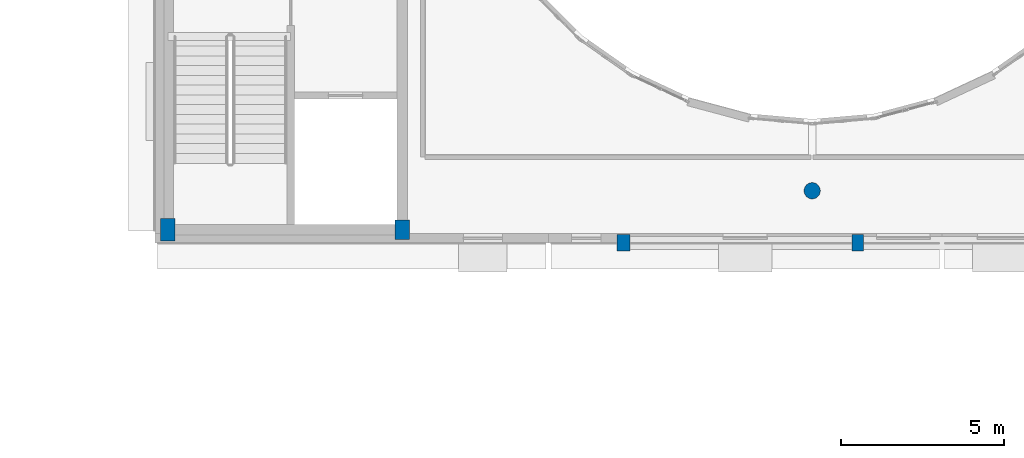
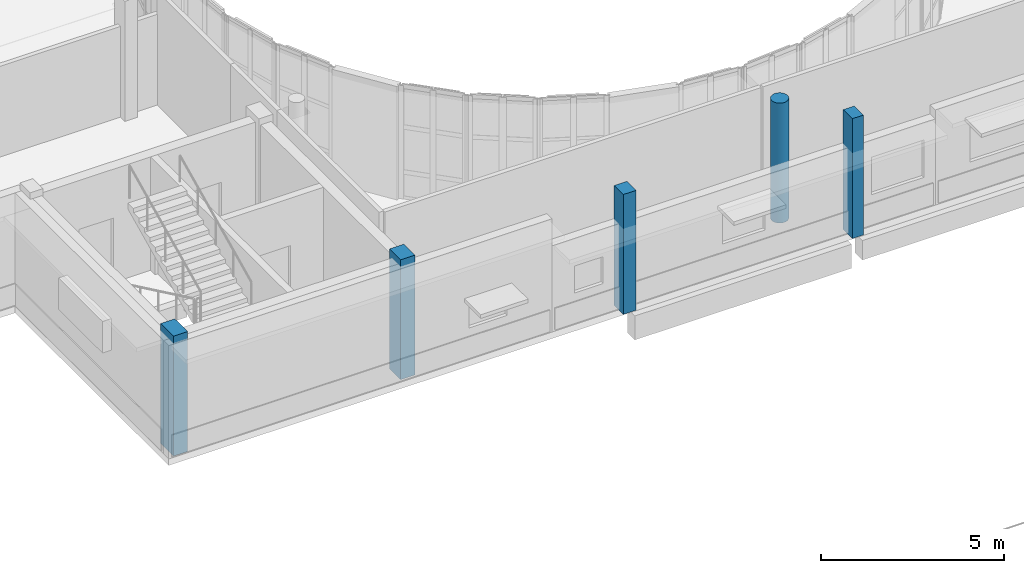
# One storey, part 3 of 92: 5 columns.
"""IFC4 building model written with IfcOpenShell, lengths in metres."""

from ifc_helpers import new_model, si_unit, direction, frame, origin, origin_2d, place, context, subcontext, project, spatial, rectangle, circle, extrude, material, material_profile, profile_set, type_object, element, save


model = new_model("IFC4")

# Units and contexts
model_context = context("Model", 3, precision=1e-05, world=origin(), true_north=direction((0.0, 1.0)))
body_context = subcontext(model_context, "Body", "Model", "MODEL_VIEW")
ifc_project = project(units=[si_unit("LENGTHUNIT", "METRE"), si_unit("AREAUNIT", "SQUARE_METRE"), si_unit("VOLUMEUNIT", "CUBIC_METRE"), si_unit("PLANEANGLEUNIT", "RADIAN"), si_unit("MASSUNIT", "GRAM", prefix="KILO")], contexts=[model_context])

# Site, building, storey
site_placement = place(None, origin())
site = spatial("IfcSite", under=ifc_project, at=site_placement, CompositionType="ELEMENT")
building_placement = place(site_placement, origin())
building = spatial("IfcBuilding", under=site, at=building_placement, Name="Kelanivale Promenade Academy", CompositionType="ELEMENT")
storey_placement = place(building_placement, frame((0.0, 0.0, 8.199951171875)))
storey = spatial("IfcBuildingStorey", under=building, at=storey_placement, Name="L02", CompositionType="ELEMENT", Elevation=8.199951171875)

# Columns
ifc_material = material(Name="Concrete C40/50", Category="concrete")
ifc_material_profile_1 = material_profile(ifc_material, rectangle(XDim=0.449951171875, YDim=0.60009765625, at=origin_2d()), Name="RC-COL 450x600")
ifc_profile_set_1 = profile_set([ifc_material_profile_1], Name="Concrete C40/50")
column_type_1 = type_object("IfcColumnType", Name="C-09 RC-COL 450x600", PredefinedType="COLUMN", material=ifc_profile_set_1)
column_1_placement = place(storey_placement, frame((50.800048828125, 42.39990234375, 0.0), z_axis=(0.0, 0.0, 1.0), x_axis=(1.0, 0.0, 0.0)))
element("IfcColumn", 1, at=column_1_placement, inside=storey, type_object=column_type_1, Name="Column C-09 at (50.8, 42.4) L02", PredefinedType="COLUMN", context=body_context, shape_type="SweptSolid", body=[
    extrude(rectangle(XDim=0.449951171875, YDim=0.60009765625, at=origin_2d()), origin(), (0.0, 0.0, 1.0), 4.0),
])
ifc_material_profile_2 = material_profile(ifc_material, rectangle(XDim=0.449951171875, YDim=0.699951171875, at=origin_2d()), Name="RC-COL 450x700")
ifc_profile_set_2 = profile_set([ifc_material_profile_2], Name="Concrete C40/50")
column_type_2 = type_object("IfcColumnType", Name="C-10 RC-COL 450x700", PredefinedType="COLUMN", material=ifc_profile_set_2)
column_2_placement = place(storey_placement, frame((43.60009765625, 42.39990234375, 0.0), z_axis=(0.0, 0.0, 1.0), x_axis=(1.0, 0.0, 0.0)))
element("IfcColumn", 2, at=column_2_placement, inside=storey, type_object=column_type_2, Name="Column C-10 at (43.6, 42.4) L02", PredefinedType="COLUMN", context=body_context, shape_type="SweptSolid", body=[
    extrude(rectangle(XDim=0.449951171875, YDim=0.699951171875, at=origin_2d()), origin(), (0.0, 0.0, 1.0), 4.0),
])
ifc_material_profile_3 = material_profile(ifc_material, circle(Radius=0.25, at=origin_2d()), Name="RC-COL D500")
ifc_profile_set_3 = profile_set([ifc_material_profile_3], Name="Concrete C40/50")
column_type_3 = type_object("IfcColumnType", Name="CC-20 RC-COL D500", PredefinedType="COLUMN", material=ifc_profile_set_3)
column_3_placement = place(storey_placement, frame((63.39990234375, 43.60009765625, 0.0), z_axis=(0.0, 0.0, 1.0), x_axis=(1.0, 0.0, 0.0)))
element("IfcColumn", 3, at=column_3_placement, inside=storey, type_object=column_type_3, Name="Column CC-20 at (63.4, 43.6) L02", PredefinedType="COLUMN", context=body_context, shape_type="SweptSolid", body=[
    extrude(circle(Radius=0.25, at=origin_2d()), origin(), (0.0, 0.0, 1.0), 4.0),
])
ifc_material_profile_4 = material_profile(ifc_material, rectangle(XDim=0.35009765625, YDim=0.5, at=origin_2d()), Name="RC-PIL 350x500")
ifc_profile_set_4 = profile_set([ifc_material_profile_4], Name="Concrete C40/50")
column_type_4 = type_object("IfcColumnType", Name="PL-15 RC-PIL 350x500", PredefinedType="PILASTER", material=ifc_profile_set_4)
column_4_placement = place(storey_placement, frame((64.800048828125, 42.0, 0.0), z_axis=(0.0, 0.0, 1.0), x_axis=(1.0, 0.0, 0.0)))
element("IfcColumn", 4, at=column_4_placement, inside=storey, type_object=column_type_4, Name="Column PL-15 at (64.8, 42.0) L02", PredefinedType="PILASTER", context=body_context, shape_type="SweptSolid", body=[
    extrude(rectangle(XDim=0.35009765625, YDim=0.5, at=origin_2d()), origin(), (0.0, 0.0, 1.0), 4.0),
])
ifc_material_profile_5 = material_profile(ifc_material, rectangle(XDim=0.39990234375, YDim=0.5, at=origin_2d()), Name="RC-PIL 400x500")
ifc_profile_set_5 = profile_set([ifc_material_profile_5], Name="Concrete C40/50")
column_type_5 = type_object("IfcColumnType", Name="PL-16 RC-PIL 400x500", PredefinedType="PILASTER", material=ifc_profile_set_5)
column_5_placement = place(storey_placement, frame((57.60009765625, 42.0, 0.0), z_axis=(0.0, 0.0, 1.0), x_axis=(1.0, 0.0, 0.0)))
element("IfcColumn", 5, at=column_5_placement, inside=storey, type_object=column_type_5, Name="Column PL-16 at (57.6, 42.0) L02", PredefinedType="PILASTER", context=body_context, shape_type="SweptSolid", body=[
    extrude(rectangle(XDim=0.39990234375, YDim=0.5, at=origin_2d()), origin(), (0.0, 0.0, 1.0), 4.0),
])

save(model, "model.ifc")
